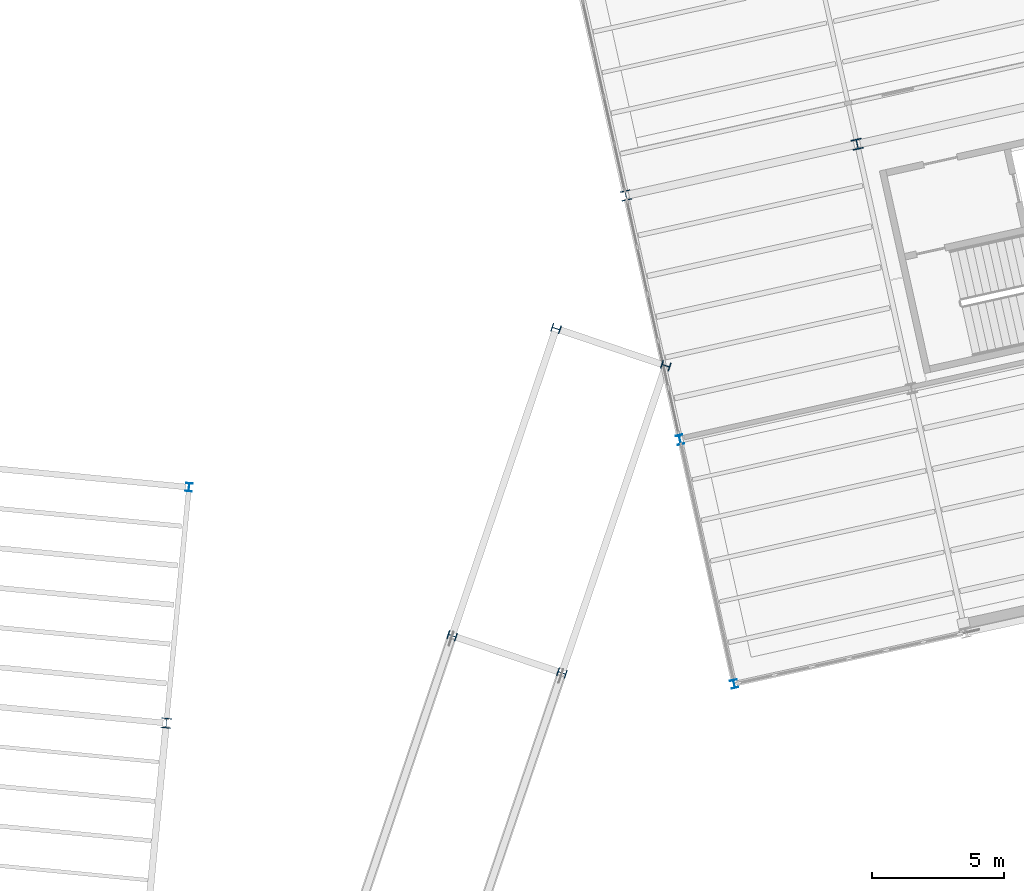
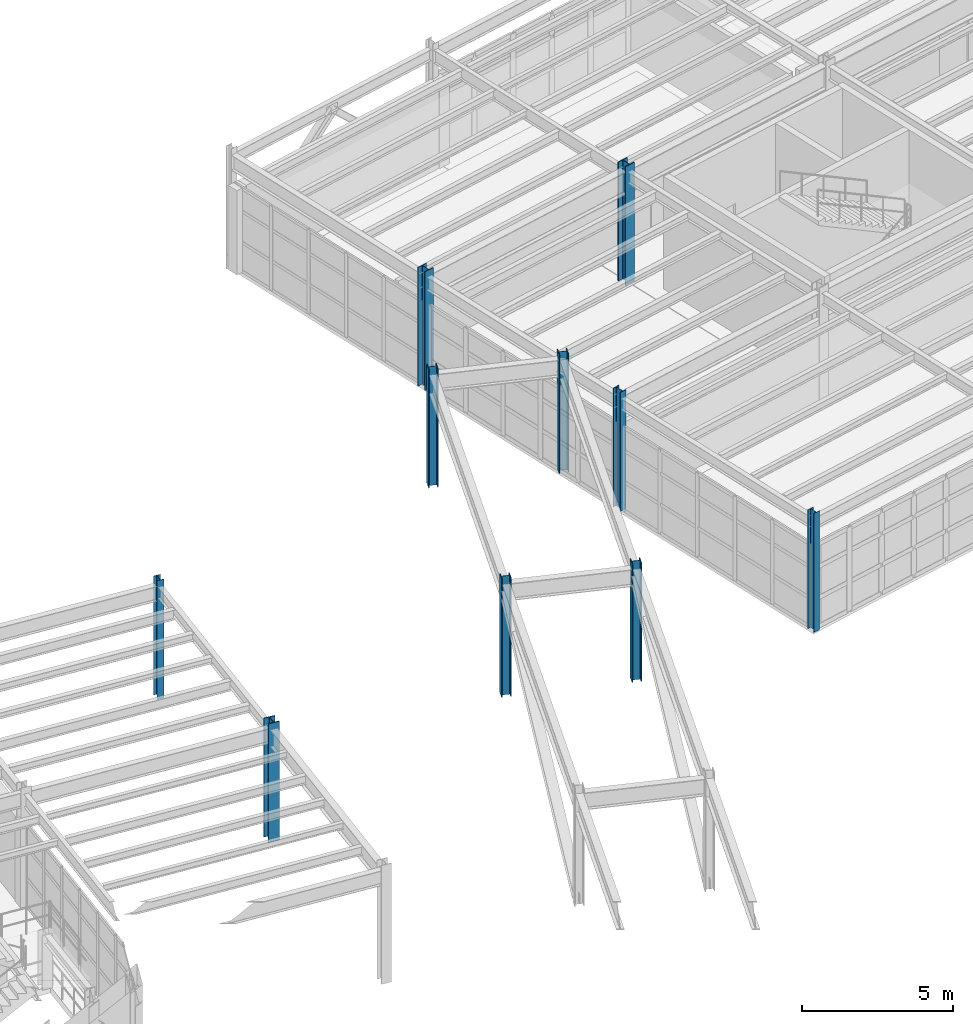
# One storey, part 15 of 109: 10 columns.
"""IFC4 building model written with IfcOpenShell, lengths in metres."""

from ifc_helpers import new_model, si_unit, direction, frame, origin, origin_2d, place, context, subcontext, project, spatial, i_section, extrude, material, material_profile, profile_set, type_object, element, save


model = new_model("IFC4")

# Units and contexts
model_context = context("Model", 3, precision=1e-05, world=origin(), true_north=direction((0.0, 1.0)))
body_context = subcontext(model_context, "Body", "Model", "MODEL_VIEW")
ifc_project = project(units=[si_unit("LENGTHUNIT", "METRE"), si_unit("AREAUNIT", "SQUARE_METRE"), si_unit("VOLUMEUNIT", "CUBIC_METRE"), si_unit("PLANEANGLEUNIT", "RADIAN"), si_unit("MASSUNIT", "GRAM", prefix="KILO")], contexts=[model_context])

# Site, building, storey
site_placement = place(None, origin())
site = spatial("IfcSite", under=ifc_project, at=site_placement, CompositionType="ELEMENT")
building_placement = place(site_placement, origin())
building = spatial("IfcBuilding", under=site, at=building_placement, Name="Vireo Bluff Cable Station", CompositionType="ELEMENT")
storey_placement = place(building_placement, frame((0.0, 0.0, 4.800048828125)))
storey = spatial("IfcBuildingStorey", under=building, at=storey_placement, Name="L01", CompositionType="ELEMENT", Elevation=4.800048828125)

# Columns
ifc_material = material(Name="Steel ASTM A992 Gr. 50", Category="steel")
ifc_material_profile_1 = material_profile(ifc_material, i_section(OverallWidth=0.39892578125, OverallDepth=0.385986328125, WebThickness=0.02099609375, FlangeThickness=0.033203125, FilletRadius=0.014892578125, at=origin_2d()), Name="W14X176")
ifc_profile_set_1 = profile_set([ifc_material_profile_1], Name="Steel ASTM A992 Gr. 50")
column_type_1 = type_object("IfcColumnType", Name="COL-W14X176", PredefinedType="COLUMN", material=ifc_profile_set_1)
for number, where, z_axis, x_axis, name in (
    (1, (130.67431640625, 94.49755859375, 0.0), (0.0, 0.0, 1.0), (0.97629600712, 0.216439613938, 0.0), "V2 L01 column 143"),
    (2, (104.43505859375, 72.511962890625, 0.0), (0.0, 0.0, 1.0), (0.995396198367, -0.09584575252, 0.0), "V3 L01 column 241"),
):
    element("IfcColumn", number, at=place(storey_placement, frame(where, z_axis=z_axis, x_axis=x_axis)), inside=storey, type_object=column_type_1, Name=name, PredefinedType="COLUMN", context=body_context, shape_type="SweptSolid", body=[
        extrude(i_section(OverallWidth=0.39892578125, OverallDepth=0.385986328125, WebThickness=0.02099609375, FlangeThickness=0.033203125, FilletRadius=0.014892578125, at=origin_2d()), origin(), (0.0, 0.0, 1.0), 4.800048828125),
    ])
ifc_material_profile_2 = material_profile(ifc_material, i_section(OverallWidth=0.31298828125, OverallDepth=0.3330078125, WebThickness=0.01806640625, FlangeThickness=0.028076171875, FilletRadius=0.012939453125, at=origin_2d()), Name="W12X120")
ifc_profile_set_2 = profile_set([ifc_material_profile_2], Name="Steel ASTM A992 Gr. 50")
column_type_2 = type_object("IfcColumnType", Name="ECOL-W12X120", PredefinedType="COLUMN", material=ifc_profile_set_2)
for number, where, z_axis, x_axis, name in (
    (3, (119.45947265625, 74.4189453125, 0.0), (0.0, 0.0, 1.0), (0.32035190998, 0.947298608556, 0.0), "HAUL-DRIVE skybridge column 3L L01"),
    (4, (115.291259765625, 75.82861328125, 0.0), (0.0, 0.0, 1.0), (0.32035190998, 0.947298608556, 0.0), "HAUL-DRIVE skybridge column 3R L01"),
    (5, (123.40478515625, 86.085693359375, 0.0), (0.0, 0.0, 1.0), (0.32035190998, 0.947298608556, 0.0), "HAUL-DRIVE skybridge column 4L L01"),
    (6, (119.236572265625, 87.4951171875, 0.0), (0.0, 0.0, 1.0), (0.32035190998, 0.947298608556, 0.0), "HAUL-DRIVE skybridge column 4R L01"),
):
    element("IfcColumn", number, at=place(storey_placement, frame(where, z_axis=z_axis, x_axis=x_axis)), inside=storey, type_object=column_type_2, Name=name, PredefinedType="COLUMN", context=body_context, shape_type="SweptSolid", body=[
        extrude(i_section(OverallWidth=0.31298828125, OverallDepth=0.3330078125, WebThickness=0.01806640625, FlangeThickness=0.028076171875, FilletRadius=0.012939453125, at=origin_2d()), origin(), (0.0, 0.0, 1.0), 4.800048828125),
    ])
ifc_material_profile_3 = material_profile(ifc_material, i_section(OverallWidth=0.257080078125, OverallDepth=0.363037109375, WebThickness=0.012939453125, FlangeThickness=0.021728515625, FilletRadius=0.014892578125, at=origin_2d()), Name="W14X82")
ifc_profile_set_3 = profile_set([ifc_material_profile_3], Name="Steel ASTM A992 Gr. 50")
column_type_3 = type_object("IfcColumnType", Name="ECOL-W14X82", PredefinedType="COLUMN", material=ifc_profile_set_3)
column_1_placement = place(storey_placement, frame((123.94384765625, 83.27490234375, 0.0), z_axis=(0.0, 0.0, 1.0), x_axis=(0.97629600712, 0.216439613938, 0.0)))
element("IfcColumn", 7, at=column_1_placement, inside=storey, type_object=column_type_3, Name="V2 L01 column 127", PredefinedType="COLUMN", context=body_context, shape_type="SweptSolid", body=[
    extrude(i_section(OverallWidth=0.257080078125, OverallDepth=0.363037109375, WebThickness=0.012939453125, FlangeThickness=0.021728515625, FilletRadius=0.014892578125, at=origin_2d()), origin(), (0.0, 0.0, 1.0), 4.800048828125),
])
ifc_material_profile_4 = material_profile(ifc_material, i_section(OverallWidth=0.3701171875, OverallDepth=0.360107421875, WebThickness=0.01220703125, FlangeThickness=0.019775390625, FilletRadius=0.014892578125, at=origin_2d()), Name="W14X99")
ifc_profile_set_4 = profile_set([ifc_material_profile_4], Name="Steel ASTM A992 Gr. 50")
column_type_4 = type_object("IfcColumnType", Name="ECOL-W14X99", PredefinedType="COLUMN", material=ifc_profile_set_4)
column_2_placement = place(storey_placement, frame((121.8876953125, 92.549560546875, 0.0), z_axis=(0.0, 0.0, 1.0), x_axis=(0.97629600712, 0.216439613938, 0.0)))
element("IfcColumn", 8, at=column_2_placement, inside=storey, type_object=column_type_4, Name="V2 L01 column 130", PredefinedType="COLUMN", context=body_context, shape_type="SweptSolid", body=[
    extrude(i_section(OverallWidth=0.3701171875, OverallDepth=0.360107421875, WebThickness=0.01220703125, FlangeThickness=0.019775390625, FilletRadius=0.014892578125, at=origin_2d()), origin(), (0.0, 0.0, 1.0), 4.800048828125),
])
ifc_material_profile_5 = material_profile(ifc_material, i_section(OverallWidth=0.25390625, OverallDepth=0.31005859375, WebThickness=0.009033203125, FlangeThickness=0.016357421875, FilletRadius=0.010986328125, at=origin_2d()), Name="W12X58")
ifc_profile_set_5 = profile_set([ifc_material_profile_5], Name="Steel ASTM A992 Gr. 50")
column_type_5 = type_object("IfcColumnType", Name="PIL-W12X58", PredefinedType="PILASTER", material=ifc_profile_set_5)
for number, where, z_axis, x_axis, name in (
    (9, (126.0, 74.0, 0.0), (0.0, 0.0, 1.0), (0.97629600712, 0.216439613938, 0.0), "V2 L01 column 124"),
    (10, (105.297607421875, 81.470458984375, 0.0), (0.0, 0.0, 1.0), (0.995396198367, -0.09584575252, 0.0), "V3 L01 column 244"),
):
    element("IfcColumn", number, at=place(storey_placement, frame(where, z_axis=z_axis, x_axis=x_axis)), inside=storey, type_object=column_type_5, Name=name, PredefinedType="PILASTER", context=body_context, shape_type="SweptSolid", body=[
        extrude(i_section(OverallWidth=0.25390625, OverallDepth=0.31005859375, WebThickness=0.009033203125, FlangeThickness=0.016357421875, FilletRadius=0.010986328125, at=origin_2d()), origin(), (0.0, 0.0, 1.0), 4.800048828125),
    ])

save(model, "model.ifc")
